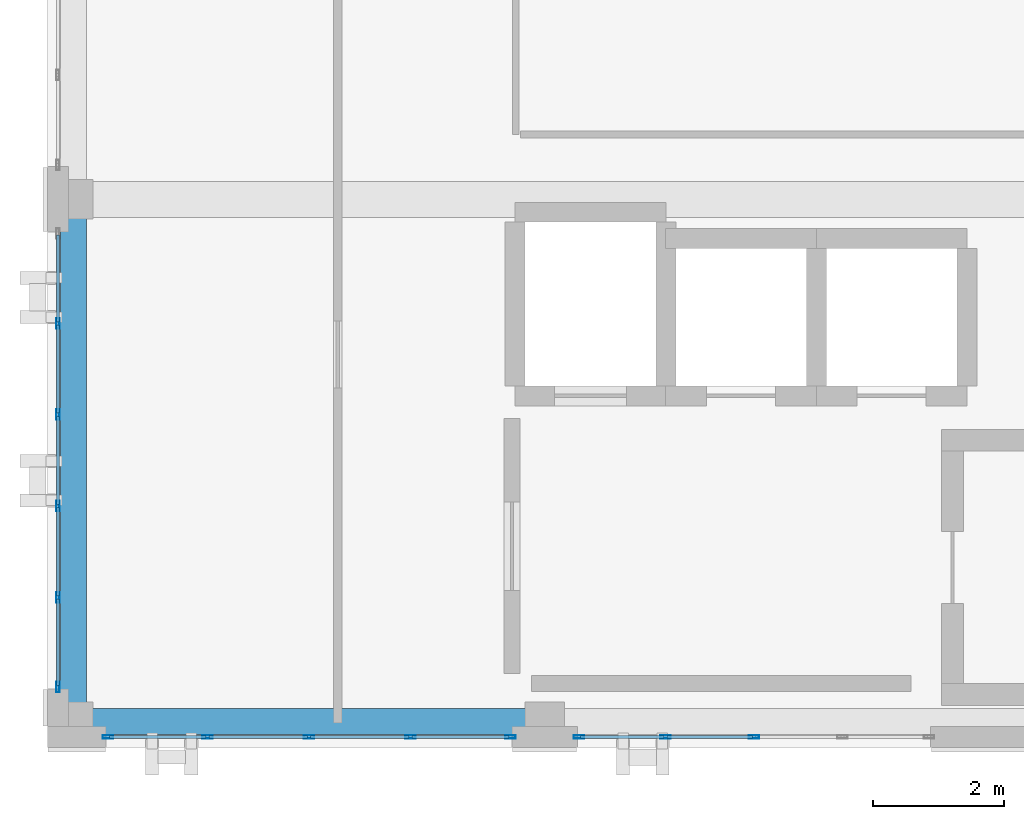
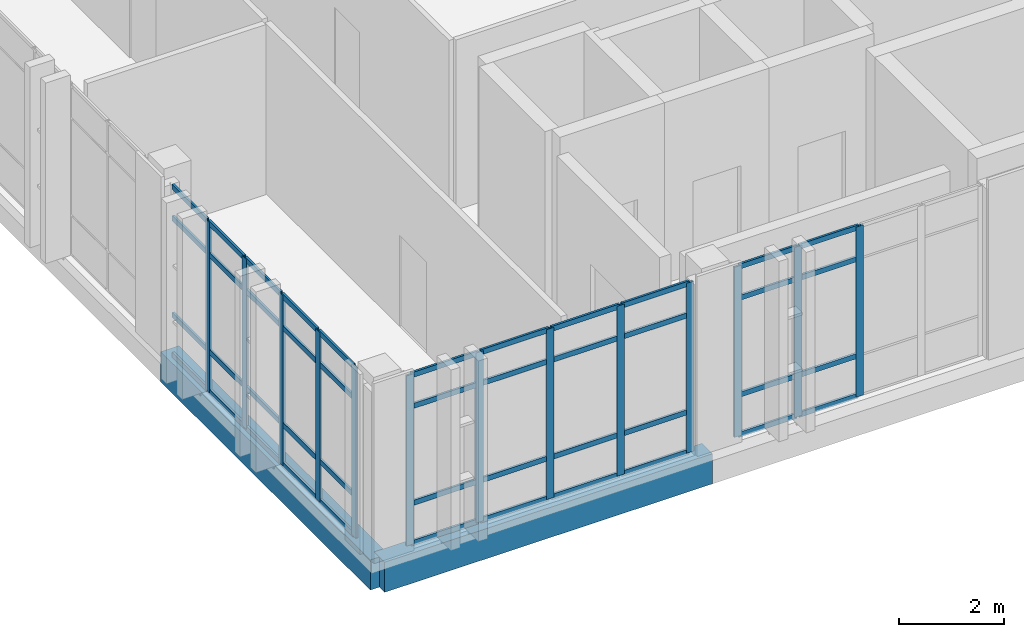
# One storey, part 2 of 19: 57 members, 2 beams, 3 elements without a shape of their own.
"""IFC4 building model written with IfcOpenShell, lengths in metres."""

from ifc_helpers import new_model, si_unit, direction, frame, origin, origin_2d, place, context, subcontext, project, spatial, rectangle, hollow_rectangle, extrude, material, layer, layer_set, material_profile, profile_set, type_object, element, aggregate, save


model = new_model("IFC4")

# Units and contexts
model_context = context("Model", 3, precision=1e-05, world=origin(), true_north=direction((0.0, 1.0)))
body_context = subcontext(model_context, "Body", "Model", "MODEL_VIEW")
ifc_project = project(units=[si_unit("LENGTHUNIT", "METRE"), si_unit("AREAUNIT", "SQUARE_METRE"), si_unit("VOLUMEUNIT", "CUBIC_METRE"), si_unit("PLANEANGLEUNIT", "RADIAN"), si_unit("MASSUNIT", "GRAM", prefix="KILO")], contexts=[model_context])

# Site, building, storey
site_placement = place(None, origin())
site = spatial("IfcSite", under=ifc_project, at=site_placement, CompositionType="ELEMENT")
building_placement = place(site_placement, origin())
building = spatial("IfcBuilding", under=site, at=building_placement, Name="Qalavern Law Courts", CompositionType="ELEMENT")
storey_placement = place(building_placement, frame((0.0, 0.0, 39.60009765625)))
storey = spatial("IfcBuildingStorey", under=building, at=storey_placement, Name="L09", CompositionType="ELEMENT", Elevation=39.60009765625)

# Curtain wall, members
ifc_material_1 = material(Name="Anodised aluminium and insulated glazing", Category="aluminium")
ifc_layer = layer(ifc_material_1, 0.159912109375)
ifc_layer_set = layer_set([ifc_layer], Name="Anodised aluminium and insulated glazing")
curtain_wall_type = type_object("IfcCurtainWallType", Name="ENV-CW-CHAMB", PredefinedType="USERDEFINED", material=ifc_layer_set)
curtain_wall_1_placement = place(storey_placement, origin())
curtain_wall_1 = element("IfcCurtainWall", 1, at=curtain_wall_1_placement, inside=storey, type_object=curtain_wall_type, Name="V4 unitised curtain wall L09 south 1", ObjectType="UNITISED CURTAIN WALL", PredefinedType="USERDEFINED")
ifc_material_2 = material(Name="Anodised aluminium", Category="aluminium")
ifc_material_profile_1 = material_profile(ifc_material_2, hollow_rectangle(XDim=0.048095703125, YDim=0.159912109375, WallThickness=0.00390625, at=origin_2d()), Name="ALU MULLION 48x160")
ifc_profile_set_1 = profile_set([ifc_material_profile_1], Name="Anodised aluminium")
member_type_1 = type_object("IfcMemberType", Name="ENV-CWM-48x160", PredefinedType="MULLION", material=ifc_profile_set_1)
member_1_placement = place(storey_placement, frame((85.1240234375, 41.1826171875, 0.0), z_axis=(0.0, 0.0, 1.0), x_axis=(0.0, 1.0, 0.0)))
member_1 = element("IfcMember", 2, at=member_1_placement, type_object=member_type_1, Name="CW-04 mullion 1", PredefinedType="MULLION", context=body_context, shape_type="SweptSolid", body=[
    extrude(hollow_rectangle(XDim=0.048095703125, YDim=0.159912109375, WallThickness=0.00390625, at=origin_2d()), origin(), (0.0, 0.0, 1.0), 3.949951171875),
])
member_2_placement = place(storey_placement, frame((86.64990234375, 41.1826171875, 0.0), z_axis=(0.0, 0.0, 1.0), x_axis=(0.0, 1.0, 0.0)))
member_2 = element("IfcMember", 3, at=member_2_placement, type_object=member_type_1, Name="CW-04 mullion 2", PredefinedType="MULLION", context=body_context, shape_type="SweptSolid", body=[
    extrude(hollow_rectangle(XDim=0.048095703125, YDim=0.159912109375, WallThickness=0.00390625, at=origin_2d()), origin(), (0.0, 0.0, 1.0), 3.949951171875),
])
member_3_placement = place(storey_placement, frame((88.199951171875, 41.1826171875, 0.0), z_axis=(0.0, 0.0, 1.0), x_axis=(0.0, 1.0, 0.0)))
member_3 = element("IfcMember", 4, at=member_3_placement, type_object=member_type_1, Name="CW-04 mullion 3", PredefinedType="MULLION", context=body_context, shape_type="SweptSolid", body=[
    extrude(hollow_rectangle(XDim=0.048095703125, YDim=0.159912109375, WallThickness=0.00390625, at=origin_2d()), origin(), (0.0, 0.0, 1.0), 3.949951171875),
])
member_4_placement = place(storey_placement, frame((89.75, 41.1826171875, 0.0), z_axis=(0.0, 0.0, 1.0), x_axis=(0.0, 1.0, 0.0)))
member_4 = element("IfcMember", 5, at=member_4_placement, type_object=member_type_1, Name="CW-04 mullion 4", PredefinedType="MULLION", context=body_context, shape_type="SweptSolid", body=[
    extrude(hollow_rectangle(XDim=0.048095703125, YDim=0.159912109375, WallThickness=0.00390625, at=origin_2d()), origin(), (0.0, 0.0, 1.0), 3.949951171875),
])
member_5_placement = place(storey_placement, frame((91.27587890625, 41.1826171875, 0.0), z_axis=(0.0, 0.0, 1.0), x_axis=(0.0, 1.0, 0.0)))
member_5 = element("IfcMember", 6, at=member_5_placement, type_object=member_type_1, Name="CW-04 mullion 5", PredefinedType="MULLION", context=body_context, shape_type="SweptSolid", body=[
    extrude(hollow_rectangle(XDim=0.048095703125, YDim=0.159912109375, WallThickness=0.00390625, at=origin_2d()), origin(), (0.0, 0.0, 1.0), 3.949951171875),
])

curtain_wall_2_placement = place(storey_placement, origin())
curtain_wall_2 = element("IfcCurtainWall", 7, at=curtain_wall_2_placement, inside=storey, type_object=curtain_wall_type, Name="V4 unitised curtain wall L09 south 2", ObjectType="UNITISED CURTAIN WALL", PredefinedType="USERDEFINED")
member_6_placement = place(storey_placement, frame((92.323974609375, 41.1826171875, 0.0), z_axis=(0.0, 0.0, 1.0), x_axis=(0.0, 1.0, 0.0)))
member_6 = element("IfcMember", 8, at=member_6_placement, type_object=member_type_1, Name="CW-04 mullion 1", PredefinedType="MULLION", context=body_context, shape_type="SweptSolid", body=[
    extrude(hollow_rectangle(XDim=0.048095703125, YDim=0.159912109375, WallThickness=0.00390625, at=origin_2d()), origin(), (0.0, 0.0, 1.0), 3.949951171875),
])
member_7_placement = place(storey_placement, frame((93.64990234375, 41.1826171875, 0.0), z_axis=(0.0, 0.0, 1.0), x_axis=(0.0, 1.0, 0.0)))
member_7 = element("IfcMember", 9, at=member_7_placement, type_object=member_type_1, Name="CW-04 mullion 2", PredefinedType="MULLION", context=body_context, shape_type="SweptSolid", body=[
    extrude(hollow_rectangle(XDim=0.048095703125, YDim=0.159912109375, WallThickness=0.00390625, at=origin_2d()), origin(), (0.0, 0.0, 1.0), 3.949951171875),
])
member_8_placement = place(storey_placement, frame((95.0, 41.1826171875, 0.0), z_axis=(0.0, 0.0, 1.0), x_axis=(0.0, 1.0, 0.0)))
member_8 = element("IfcMember", 10, at=member_8_placement, type_object=member_type_1, Name="CW-04 mullion 3", PredefinedType="MULLION", context=body_context, shape_type="SweptSolid", body=[
    extrude(hollow_rectangle(XDim=0.048095703125, YDim=0.159912109375, WallThickness=0.00390625, at=origin_2d()), origin(), (0.0, 0.0, 1.0), 3.949951171875),
])

curtain_wall_3_placement = place(storey_placement, origin())
curtain_wall_3 = element("IfcCurtainWall", 11, at=curtain_wall_3_placement, inside=storey, type_object=curtain_wall_type, Name="V4 unitised curtain wall L09 west 4", ObjectType="UNITISED CURTAIN WALL", PredefinedType="USERDEFINED")
member_9_placement = place(storey_placement, frame((84.362548828125, 47.50390625, 0.0), z_axis=(0.0, 0.0, 1.0), x_axis=(1.0, 0.0, 0.0)))
member_9 = element("IfcMember", 12, at=member_9_placement, type_object=member_type_1, Name="CW-04 mullion 2", PredefinedType="MULLION", context=body_context, shape_type="SweptSolid", body=[
    extrude(hollow_rectangle(XDim=0.048095703125, YDim=0.159912109375, WallThickness=0.00390625, at=origin_2d()), origin(), (0.0, 0.0, 1.0), 3.949951171875),
])
member_10_placement = place(storey_placement, frame((84.362548828125, 46.10791015625, 0.0), z_axis=(0.0, 0.0, 1.0), x_axis=(1.0, 0.0, 0.0)))
member_10 = element("IfcMember", 13, at=member_10_placement, type_object=member_type_1, Name="CW-04 mullion 3", PredefinedType="MULLION", context=body_context, shape_type="SweptSolid", body=[
    extrude(hollow_rectangle(XDim=0.048095703125, YDim=0.159912109375, WallThickness=0.00390625, at=origin_2d()), origin(), (0.0, 0.0, 1.0), 3.949951171875),
])
member_11_placement = place(storey_placement, frame((84.362548828125, 44.7119140625, 0.0), z_axis=(0.0, 0.0, 1.0), x_axis=(1.0, 0.0, 0.0)))
member_11 = element("IfcMember", 14, at=member_11_placement, type_object=member_type_1, Name="CW-04 mullion 4", PredefinedType="MULLION", context=body_context, shape_type="SweptSolid", body=[
    extrude(hollow_rectangle(XDim=0.048095703125, YDim=0.159912109375, WallThickness=0.00390625, at=origin_2d()), origin(), (0.0, 0.0, 1.0), 3.949951171875),
])
member_12_placement = place(storey_placement, frame((84.362548828125, 43.31591796875, 0.0), z_axis=(0.0, 0.0, 1.0), x_axis=(1.0, 0.0, 0.0)))
member_12 = element("IfcMember", 15, at=member_12_placement, type_object=member_type_1, Name="CW-04 mullion 5", PredefinedType="MULLION", context=body_context, shape_type="SweptSolid", body=[
    extrude(hollow_rectangle(XDim=0.048095703125, YDim=0.159912109375, WallThickness=0.00390625, at=origin_2d()), origin(), (0.0, 0.0, 1.0), 3.949951171875),
])
member_13_placement = place(storey_placement, frame((84.362548828125, 41.944091796875, 0.0), z_axis=(0.0, 0.0, 1.0), x_axis=(1.0, 0.0, 0.0)))
member_13 = element("IfcMember", 16, at=member_13_placement, type_object=member_type_1, Name="CW-04 mullion 6", PredefinedType="MULLION", context=body_context, shape_type="SweptSolid", body=[
    extrude(hollow_rectangle(XDim=0.048095703125, YDim=0.159912109375, WallThickness=0.00390625, at=origin_2d()), origin(), (0.0, 0.0, 1.0), 3.949951171875),
])

# Member
ifc_material_profile_2 = material_profile(ifc_material_2, hollow_rectangle(XDim=0.048095703125, YDim=0.1201171875, WallThickness=0.00390625, at=origin_2d()), Name="ALU TRANSOM 48x120")
ifc_profile_set_2 = profile_set([ifc_material_profile_2], Name="Anodised aluminium")
member_type_2 = type_object("IfcMemberType", Name="ENV-CWT-48x120", PredefinedType="USERDEFINED", material=ifc_profile_set_2)
member_14_placement = place(storey_placement, frame((85.14794921875, 41.1826171875, 0.02392578125), z_axis=(1.0, 0.0, 0.0), x_axis=(0.0, 1.0, 0.0)))
member_14 = element("IfcMember", 17, at=member_14_placement, type_object=member_type_2, Name="CW-04 transom 1.1", ObjectType="TRANSOM", PredefinedType="USERDEFINED", context=body_context, shape_type="SweptSolid", body=[
    extrude(hollow_rectangle(XDim=0.048095703125, YDim=0.1201171875, WallThickness=0.00390625, at=origin_2d()), origin(), (0.0, 0.0, 1.0), 1.47802734375),
])

member_15_placement = place(storey_placement, frame((85.14794921875, 41.1826171875, 0.949951171875), z_axis=(1.0, 0.0, 0.0), x_axis=(0.0, 1.0, 0.0)))
member_15 = element("IfcMember", 18, at=member_15_placement, type_object=member_type_2, Name="CW-04 transom 1.2", ObjectType="TRANSOM", PredefinedType="USERDEFINED", context=body_context, shape_type="SweptSolid", body=[
    extrude(hollow_rectangle(XDim=0.048095703125, YDim=0.1201171875, WallThickness=0.00390625, at=origin_2d()), origin(), (0.0, 0.0, 1.0), 1.47802734375),
])

member_16_placement = place(storey_placement, frame((85.14794921875, 41.1826171875, 3.199951171875), z_axis=(1.0, 0.0, 0.0), x_axis=(0.0, 1.0, 0.0)))
member_16 = element("IfcMember", 19, at=member_16_placement, type_object=member_type_2, Name="CW-04 transom 1.3", ObjectType="TRANSOM", PredefinedType="USERDEFINED", context=body_context, shape_type="SweptSolid", body=[
    extrude(hollow_rectangle(XDim=0.048095703125, YDim=0.1201171875, WallThickness=0.00390625, at=origin_2d()), origin(), (0.0, 0.0, 1.0), 1.47802734375),
])

member_17_placement = place(storey_placement, frame((85.14794921875, 41.1826171875, 3.92578125), z_axis=(1.0, 0.0, 0.0), x_axis=(0.0, 1.0, 0.0)))
member_17 = element("IfcMember", 20, at=member_17_placement, type_object=member_type_2, Name="CW-04 transom 1.4", ObjectType="TRANSOM", PredefinedType="USERDEFINED", context=body_context, shape_type="SweptSolid", body=[
    extrude(hollow_rectangle(XDim=0.048095703125, YDim=0.1201171875, WallThickness=0.00390625, at=origin_2d()), origin(), (0.0, 0.0, 1.0), 1.47802734375),
])

member_18_placement = place(storey_placement, frame((86.674072265625, 41.1826171875, 0.02392578125), z_axis=(1.0, 0.0, 0.0), x_axis=(0.0, 1.0, 0.0)))
member_18 = element("IfcMember", 21, at=member_18_placement, type_object=member_type_2, Name="CW-04 transom 2.1", ObjectType="TRANSOM", PredefinedType="USERDEFINED", context=body_context, shape_type="SweptSolid", body=[
    extrude(hollow_rectangle(XDim=0.048095703125, YDim=0.1201171875, WallThickness=0.00390625, at=origin_2d()), origin(), (0.0, 0.0, 1.0), 1.501953125),
])

member_19_placement = place(storey_placement, frame((86.674072265625, 41.1826171875, 0.949951171875), z_axis=(1.0, 0.0, 0.0), x_axis=(0.0, 1.0, 0.0)))
member_19 = element("IfcMember", 22, at=member_19_placement, type_object=member_type_2, Name="CW-04 transom 2.2", ObjectType="TRANSOM", PredefinedType="USERDEFINED", context=body_context, shape_type="SweptSolid", body=[
    extrude(hollow_rectangle(XDim=0.048095703125, YDim=0.1201171875, WallThickness=0.00390625, at=origin_2d()), origin(), (0.0, 0.0, 1.0), 1.501953125),
])

member_20_placement = place(storey_placement, frame((86.674072265625, 41.1826171875, 3.199951171875), z_axis=(1.0, 0.0, 0.0), x_axis=(0.0, 1.0, 0.0)))
member_20 = element("IfcMember", 23, at=member_20_placement, type_object=member_type_2, Name="CW-04 transom 2.3", ObjectType="TRANSOM", PredefinedType="USERDEFINED", context=body_context, shape_type="SweptSolid", body=[
    extrude(hollow_rectangle(XDim=0.048095703125, YDim=0.1201171875, WallThickness=0.00390625, at=origin_2d()), origin(), (0.0, 0.0, 1.0), 1.501953125),
])

member_21_placement = place(storey_placement, frame((86.674072265625, 41.1826171875, 3.92578125), z_axis=(1.0, 0.0, 0.0), x_axis=(0.0, 1.0, 0.0)))
member_21 = element("IfcMember", 24, at=member_21_placement, type_object=member_type_2, Name="CW-04 transom 2.4", ObjectType="TRANSOM", PredefinedType="USERDEFINED", context=body_context, shape_type="SweptSolid", body=[
    extrude(hollow_rectangle(XDim=0.048095703125, YDim=0.1201171875, WallThickness=0.00390625, at=origin_2d()), origin(), (0.0, 0.0, 1.0), 1.501953125),
])

member_22_placement = place(storey_placement, frame((88.22412109375, 41.1826171875, 0.02392578125), z_axis=(1.0, 0.0, 0.0), x_axis=(0.0, 1.0, 0.0)))
member_22 = element("IfcMember", 25, at=member_22_placement, type_object=member_type_2, Name="CW-04 transom 3.1", ObjectType="TRANSOM", PredefinedType="USERDEFINED", context=body_context, shape_type="SweptSolid", body=[
    extrude(hollow_rectangle(XDim=0.048095703125, YDim=0.1201171875, WallThickness=0.00390625, at=origin_2d()), origin(), (0.0, 0.0, 1.0), 1.501953125),
])

member_23_placement = place(storey_placement, frame((88.22412109375, 41.1826171875, 0.949951171875), z_axis=(1.0, 0.0, 0.0), x_axis=(0.0, 1.0, 0.0)))
member_23 = element("IfcMember", 26, at=member_23_placement, type_object=member_type_2, Name="CW-04 transom 3.2", ObjectType="TRANSOM", PredefinedType="USERDEFINED", context=body_context, shape_type="SweptSolid", body=[
    extrude(hollow_rectangle(XDim=0.048095703125, YDim=0.1201171875, WallThickness=0.00390625, at=origin_2d()), origin(), (0.0, 0.0, 1.0), 1.501953125),
])

member_24_placement = place(storey_placement, frame((88.22412109375, 41.1826171875, 3.199951171875), z_axis=(1.0, 0.0, 0.0), x_axis=(0.0, 1.0, 0.0)))
member_24 = element("IfcMember", 27, at=member_24_placement, type_object=member_type_2, Name="CW-04 transom 3.3", ObjectType="TRANSOM", PredefinedType="USERDEFINED", context=body_context, shape_type="SweptSolid", body=[
    extrude(hollow_rectangle(XDim=0.048095703125, YDim=0.1201171875, WallThickness=0.00390625, at=origin_2d()), origin(), (0.0, 0.0, 1.0), 1.501953125),
])

member_25_placement = place(storey_placement, frame((88.22412109375, 41.1826171875, 3.92578125), z_axis=(1.0, 0.0, 0.0), x_axis=(0.0, 1.0, 0.0)))
member_25 = element("IfcMember", 28, at=member_25_placement, type_object=member_type_2, Name="CW-04 transom 3.4", ObjectType="TRANSOM", PredefinedType="USERDEFINED", context=body_context, shape_type="SweptSolid", body=[
    extrude(hollow_rectangle(XDim=0.048095703125, YDim=0.1201171875, WallThickness=0.00390625, at=origin_2d()), origin(), (0.0, 0.0, 1.0), 1.501953125),
])

member_26_placement = place(storey_placement, frame((89.77392578125, 41.1826171875, 0.02392578125), z_axis=(1.0, 0.0, 0.0), x_axis=(0.0, 1.0, 0.0)))
member_26 = element("IfcMember", 29, at=member_26_placement, type_object=member_type_2, Name="CW-04 transom 4.1", ObjectType="TRANSOM", PredefinedType="USERDEFINED", context=body_context, shape_type="SweptSolid", body=[
    extrude(hollow_rectangle(XDim=0.048095703125, YDim=0.1201171875, WallThickness=0.00390625, at=origin_2d()), origin(), (0.0, 0.0, 1.0), 1.47802734375),
])

member_27_placement = place(storey_placement, frame((89.77392578125, 41.1826171875, 0.949951171875), z_axis=(1.0, 0.0, 0.0), x_axis=(0.0, 1.0, 0.0)))
member_27 = element("IfcMember", 30, at=member_27_placement, type_object=member_type_2, Name="CW-04 transom 4.2", ObjectType="TRANSOM", PredefinedType="USERDEFINED", context=body_context, shape_type="SweptSolid", body=[
    extrude(hollow_rectangle(XDim=0.048095703125, YDim=0.1201171875, WallThickness=0.00390625, at=origin_2d()), origin(), (0.0, 0.0, 1.0), 1.47802734375),
])

member_28_placement = place(storey_placement, frame((89.77392578125, 41.1826171875, 3.199951171875), z_axis=(1.0, 0.0, 0.0), x_axis=(0.0, 1.0, 0.0)))
member_28 = element("IfcMember", 31, at=member_28_placement, type_object=member_type_2, Name="CW-04 transom 4.3", ObjectType="TRANSOM", PredefinedType="USERDEFINED", context=body_context, shape_type="SweptSolid", body=[
    extrude(hollow_rectangle(XDim=0.048095703125, YDim=0.1201171875, WallThickness=0.00390625, at=origin_2d()), origin(), (0.0, 0.0, 1.0), 1.47802734375),
])

member_29_placement = place(storey_placement, frame((89.77392578125, 41.1826171875, 3.92578125), z_axis=(1.0, 0.0, 0.0), x_axis=(0.0, 1.0, 0.0)))
member_29 = element("IfcMember", 32, at=member_29_placement, type_object=member_type_2, Name="CW-04 transom 4.4", ObjectType="TRANSOM", PredefinedType="USERDEFINED", context=body_context, shape_type="SweptSolid", body=[
    extrude(hollow_rectangle(XDim=0.048095703125, YDim=0.1201171875, WallThickness=0.00390625, at=origin_2d()), origin(), (0.0, 0.0, 1.0), 1.47802734375),
])

aggregate(curtain_wall_1, [member_1, member_2, member_3, member_4, member_5, member_14, member_15, member_16, member_17, member_18, member_19, member_20, member_21, member_22, member_23, member_24, member_25, member_26, member_27, member_28, member_29])

member_30_placement = place(storey_placement, frame((92.347900390625, 41.1826171875, 0.02392578125), z_axis=(1.0, 0.0, 0.0), x_axis=(0.0, 1.0, 0.0)))
member_30 = element("IfcMember", 33, at=member_30_placement, type_object=member_type_2, Name="CW-04 transom 1.1", ObjectType="TRANSOM", PredefinedType="USERDEFINED", context=body_context, shape_type="SweptSolid", body=[
    extrude(hollow_rectangle(XDim=0.048095703125, YDim=0.1201171875, WallThickness=0.00390625, at=origin_2d()), origin(), (0.0, 0.0, 1.0), 1.278076171875),
])

member_31_placement = place(storey_placement, frame((92.347900390625, 41.1826171875, 0.949951171875), z_axis=(1.0, 0.0, 0.0), x_axis=(0.0, 1.0, 0.0)))
member_31 = element("IfcMember", 34, at=member_31_placement, type_object=member_type_2, Name="CW-04 transom 1.2", ObjectType="TRANSOM", PredefinedType="USERDEFINED", context=body_context, shape_type="SweptSolid", body=[
    extrude(hollow_rectangle(XDim=0.048095703125, YDim=0.1201171875, WallThickness=0.00390625, at=origin_2d()), origin(), (0.0, 0.0, 1.0), 1.278076171875),
])

member_32_placement = place(storey_placement, frame((92.347900390625, 41.1826171875, 3.199951171875), z_axis=(1.0, 0.0, 0.0), x_axis=(0.0, 1.0, 0.0)))
member_32 = element("IfcMember", 35, at=member_32_placement, type_object=member_type_2, Name="CW-04 transom 1.3", ObjectType="TRANSOM", PredefinedType="USERDEFINED", context=body_context, shape_type="SweptSolid", body=[
    extrude(hollow_rectangle(XDim=0.048095703125, YDim=0.1201171875, WallThickness=0.00390625, at=origin_2d()), origin(), (0.0, 0.0, 1.0), 1.278076171875),
])

member_33_placement = place(storey_placement, frame((92.347900390625, 41.1826171875, 3.92578125), z_axis=(1.0, 0.0, 0.0), x_axis=(0.0, 1.0, 0.0)))
member_33 = element("IfcMember", 36, at=member_33_placement, type_object=member_type_2, Name="CW-04 transom 1.4", ObjectType="TRANSOM", PredefinedType="USERDEFINED", context=body_context, shape_type="SweptSolid", body=[
    extrude(hollow_rectangle(XDim=0.048095703125, YDim=0.1201171875, WallThickness=0.00390625, at=origin_2d()), origin(), (0.0, 0.0, 1.0), 1.278076171875),
])

member_34_placement = place(storey_placement, frame((93.674072265625, 41.1826171875, 0.02392578125), z_axis=(1.0, 0.0, 0.0), x_axis=(0.0, 1.0, 0.0)))
member_34 = element("IfcMember", 37, at=member_34_placement, type_object=member_type_2, Name="CW-04 transom 2.1", ObjectType="TRANSOM", PredefinedType="USERDEFINED", context=body_context, shape_type="SweptSolid", body=[
    extrude(hollow_rectangle(XDim=0.048095703125, YDim=0.1201171875, WallThickness=0.00390625, at=origin_2d()), origin(), (0.0, 0.0, 1.0), 1.302001953125),
])

member_35_placement = place(storey_placement, frame((93.674072265625, 41.1826171875, 0.949951171875), z_axis=(1.0, 0.0, 0.0), x_axis=(0.0, 1.0, 0.0)))
member_35 = element("IfcMember", 38, at=member_35_placement, type_object=member_type_2, Name="CW-04 transom 2.2", ObjectType="TRANSOM", PredefinedType="USERDEFINED", context=body_context, shape_type="SweptSolid", body=[
    extrude(hollow_rectangle(XDim=0.048095703125, YDim=0.1201171875, WallThickness=0.00390625, at=origin_2d()), origin(), (0.0, 0.0, 1.0), 1.302001953125),
])

member_36_placement = place(storey_placement, frame((93.674072265625, 41.1826171875, 3.199951171875), z_axis=(1.0, 0.0, 0.0), x_axis=(0.0, 1.0, 0.0)))
member_36 = element("IfcMember", 39, at=member_36_placement, type_object=member_type_2, Name="CW-04 transom 2.3", ObjectType="TRANSOM", PredefinedType="USERDEFINED", context=body_context, shape_type="SweptSolid", body=[
    extrude(hollow_rectangle(XDim=0.048095703125, YDim=0.1201171875, WallThickness=0.00390625, at=origin_2d()), origin(), (0.0, 0.0, 1.0), 1.302001953125),
])

member_37_placement = place(storey_placement, frame((93.674072265625, 41.1826171875, 3.92578125), z_axis=(1.0, 0.0, 0.0), x_axis=(0.0, 1.0, 0.0)))
member_37 = element("IfcMember", 40, at=member_37_placement, type_object=member_type_2, Name="CW-04 transom 2.4", ObjectType="TRANSOM", PredefinedType="USERDEFINED", context=body_context, shape_type="SweptSolid", body=[
    extrude(hollow_rectangle(XDim=0.048095703125, YDim=0.1201171875, WallThickness=0.00390625, at=origin_2d()), origin(), (0.0, 0.0, 1.0), 1.302001953125),
])

aggregate(curtain_wall_2, [member_6, member_7, member_8, member_30, member_31, member_32, member_33, member_34, member_35, member_36, member_37])

member_38_placement = place(storey_placement, frame((84.362548828125, 48.85205078125, 0.02392578125), z_axis=(0.0, -1.0, 0.0), x_axis=(1.0, 0.0, 0.0)))
member_38 = element("IfcMember", 41, at=member_38_placement, type_object=member_type_2, Name="CW-04 transom 1.1", ObjectType="TRANSOM", PredefinedType="USERDEFINED", context=body_context, shape_type="SweptSolid", body=[
    extrude(hollow_rectangle(XDim=0.048095703125, YDim=0.1201171875, WallThickness=0.00390625, at=origin_2d()), origin(), (0.0, 0.0, 1.0), 1.323974609375),
])

member_39_placement = place(storey_placement, frame((84.362548828125, 48.85205078125, 0.949951171875), z_axis=(0.0, -1.0, 0.0), x_axis=(1.0, 0.0, 0.0)))
member_39 = element("IfcMember", 42, at=member_39_placement, type_object=member_type_2, Name="CW-04 transom 1.2", ObjectType="TRANSOM", PredefinedType="USERDEFINED", context=body_context, shape_type="SweptSolid", body=[
    extrude(hollow_rectangle(XDim=0.048095703125, YDim=0.1201171875, WallThickness=0.00390625, at=origin_2d()), origin(), (0.0, 0.0, 1.0), 1.323974609375),
])

member_40_placement = place(storey_placement, frame((84.362548828125, 48.85205078125, 3.199951171875), z_axis=(0.0, -1.0, 0.0), x_axis=(1.0, 0.0, 0.0)))
member_40 = element("IfcMember", 43, at=member_40_placement, type_object=member_type_2, Name="CW-04 transom 1.3", ObjectType="TRANSOM", PredefinedType="USERDEFINED", context=body_context, shape_type="SweptSolid", body=[
    extrude(hollow_rectangle(XDim=0.048095703125, YDim=0.1201171875, WallThickness=0.00390625, at=origin_2d()), origin(), (0.0, 0.0, 1.0), 1.323974609375),
])

member_41_placement = place(storey_placement, frame((84.362548828125, 48.85205078125, 3.92578125), z_axis=(0.0, -1.0, 0.0), x_axis=(1.0, 0.0, 0.0)))
member_41 = element("IfcMember", 44, at=member_41_placement, type_object=member_type_2, Name="CW-04 transom 1.4", ObjectType="TRANSOM", PredefinedType="USERDEFINED", context=body_context, shape_type="SweptSolid", body=[
    extrude(hollow_rectangle(XDim=0.048095703125, YDim=0.1201171875, WallThickness=0.00390625, at=origin_2d()), origin(), (0.0, 0.0, 1.0), 1.323974609375),
])

member_42_placement = place(storey_placement, frame((84.362548828125, 47.47998046875, 0.02392578125), z_axis=(0.0, -1.0, 0.0), x_axis=(1.0, 0.0, 0.0)))
member_42 = element("IfcMember", 45, at=member_42_placement, type_object=member_type_2, Name="CW-04 transom 2.1", ObjectType="TRANSOM", PredefinedType="USERDEFINED", context=body_context, shape_type="SweptSolid", body=[
    extrude(hollow_rectangle(XDim=0.048095703125, YDim=0.1201171875, WallThickness=0.00390625, at=origin_2d()), origin(), (0.0, 0.0, 1.0), 1.347900390625),
])

member_43_placement = place(storey_placement, frame((84.362548828125, 47.47998046875, 0.949951171875), z_axis=(0.0, -1.0, 0.0), x_axis=(1.0, 0.0, 0.0)))
member_43 = element("IfcMember", 46, at=member_43_placement, type_object=member_type_2, Name="CW-04 transom 2.2", ObjectType="TRANSOM", PredefinedType="USERDEFINED", context=body_context, shape_type="SweptSolid", body=[
    extrude(hollow_rectangle(XDim=0.048095703125, YDim=0.1201171875, WallThickness=0.00390625, at=origin_2d()), origin(), (0.0, 0.0, 1.0), 1.347900390625),
])

member_44_placement = place(storey_placement, frame((84.362548828125, 47.47998046875, 3.199951171875), z_axis=(0.0, -1.0, 0.0), x_axis=(1.0, 0.0, 0.0)))
member_44 = element("IfcMember", 47, at=member_44_placement, type_object=member_type_2, Name="CW-04 transom 2.3", ObjectType="TRANSOM", PredefinedType="USERDEFINED", context=body_context, shape_type="SweptSolid", body=[
    extrude(hollow_rectangle(XDim=0.048095703125, YDim=0.1201171875, WallThickness=0.00390625, at=origin_2d()), origin(), (0.0, 0.0, 1.0), 1.347900390625),
])

member_45_placement = place(storey_placement, frame((84.362548828125, 47.47998046875, 3.92578125), z_axis=(0.0, -1.0, 0.0), x_axis=(1.0, 0.0, 0.0)))
member_45 = element("IfcMember", 48, at=member_45_placement, type_object=member_type_2, Name="CW-04 transom 2.4", ObjectType="TRANSOM", PredefinedType="USERDEFINED", context=body_context, shape_type="SweptSolid", body=[
    extrude(hollow_rectangle(XDim=0.048095703125, YDim=0.1201171875, WallThickness=0.00390625, at=origin_2d()), origin(), (0.0, 0.0, 1.0), 1.347900390625),
])

member_46_placement = place(storey_placement, frame((84.362548828125, 46.083984375, 0.02392578125), z_axis=(0.0, -1.0, 0.0), x_axis=(1.0, 0.0, 0.0)))
member_46 = element("IfcMember", 49, at=member_46_placement, type_object=member_type_2, Name="CW-04 transom 3.1", ObjectType="TRANSOM", PredefinedType="USERDEFINED", context=body_context, shape_type="SweptSolid", body=[
    extrude(hollow_rectangle(XDim=0.048095703125, YDim=0.1201171875, WallThickness=0.00390625, at=origin_2d()), origin(), (0.0, 0.0, 1.0), 1.347900390625),
])

member_47_placement = place(storey_placement, frame((84.362548828125, 46.083984375, 0.949951171875), z_axis=(0.0, -1.0, 0.0), x_axis=(1.0, 0.0, 0.0)))
member_47 = element("IfcMember", 50, at=member_47_placement, type_object=member_type_2, Name="CW-04 transom 3.2", ObjectType="TRANSOM", PredefinedType="USERDEFINED", context=body_context, shape_type="SweptSolid", body=[
    extrude(hollow_rectangle(XDim=0.048095703125, YDim=0.1201171875, WallThickness=0.00390625, at=origin_2d()), origin(), (0.0, 0.0, 1.0), 1.347900390625),
])

member_48_placement = place(storey_placement, frame((84.362548828125, 46.083984375, 3.199951171875), z_axis=(0.0, -1.0, 0.0), x_axis=(1.0, 0.0, 0.0)))
member_48 = element("IfcMember", 51, at=member_48_placement, type_object=member_type_2, Name="CW-04 transom 3.3", ObjectType="TRANSOM", PredefinedType="USERDEFINED", context=body_context, shape_type="SweptSolid", body=[
    extrude(hollow_rectangle(XDim=0.048095703125, YDim=0.1201171875, WallThickness=0.00390625, at=origin_2d()), origin(), (0.0, 0.0, 1.0), 1.347900390625),
])

member_49_placement = place(storey_placement, frame((84.362548828125, 46.083984375, 3.92578125), z_axis=(0.0, -1.0, 0.0), x_axis=(1.0, 0.0, 0.0)))
member_49 = element("IfcMember", 52, at=member_49_placement, type_object=member_type_2, Name="CW-04 transom 3.4", ObjectType="TRANSOM", PredefinedType="USERDEFINED", context=body_context, shape_type="SweptSolid", body=[
    extrude(hollow_rectangle(XDim=0.048095703125, YDim=0.1201171875, WallThickness=0.00390625, at=origin_2d()), origin(), (0.0, 0.0, 1.0), 1.347900390625),
])

member_50_placement = place(storey_placement, frame((84.362548828125, 44.68798828125, 0.02392578125), z_axis=(0.0, -1.0, 0.0), x_axis=(1.0, 0.0, 0.0)))
member_50 = element("IfcMember", 53, at=member_50_placement, type_object=member_type_2, Name="CW-04 transom 4.1", ObjectType="TRANSOM", PredefinedType="USERDEFINED", context=body_context, shape_type="SweptSolid", body=[
    extrude(hollow_rectangle(XDim=0.048095703125, YDim=0.1201171875, WallThickness=0.00390625, at=origin_2d()), origin(), (0.0, 0.0, 1.0), 1.347900390625),
])

member_51_placement = place(storey_placement, frame((84.362548828125, 44.68798828125, 0.949951171875), z_axis=(0.0, -1.0, 0.0), x_axis=(1.0, 0.0, 0.0)))
member_51 = element("IfcMember", 54, at=member_51_placement, type_object=member_type_2, Name="CW-04 transom 4.2", ObjectType="TRANSOM", PredefinedType="USERDEFINED", context=body_context, shape_type="SweptSolid", body=[
    extrude(hollow_rectangle(XDim=0.048095703125, YDim=0.1201171875, WallThickness=0.00390625, at=origin_2d()), origin(), (0.0, 0.0, 1.0), 1.347900390625),
])

member_52_placement = place(storey_placement, frame((84.362548828125, 44.68798828125, 3.199951171875), z_axis=(0.0, -1.0, 0.0), x_axis=(1.0, 0.0, 0.0)))
member_52 = element("IfcMember", 55, at=member_52_placement, type_object=member_type_2, Name="CW-04 transom 4.3", ObjectType="TRANSOM", PredefinedType="USERDEFINED", context=body_context, shape_type="SweptSolid", body=[
    extrude(hollow_rectangle(XDim=0.048095703125, YDim=0.1201171875, WallThickness=0.00390625, at=origin_2d()), origin(), (0.0, 0.0, 1.0), 1.347900390625),
])

member_53_placement = place(storey_placement, frame((84.362548828125, 44.68798828125, 3.92578125), z_axis=(0.0, -1.0, 0.0), x_axis=(1.0, 0.0, 0.0)))
member_53 = element("IfcMember", 56, at=member_53_placement, type_object=member_type_2, Name="CW-04 transom 4.4", ObjectType="TRANSOM", PredefinedType="USERDEFINED", context=body_context, shape_type="SweptSolid", body=[
    extrude(hollow_rectangle(XDim=0.048095703125, YDim=0.1201171875, WallThickness=0.00390625, at=origin_2d()), origin(), (0.0, 0.0, 1.0), 1.347900390625),
])

member_54_placement = place(storey_placement, frame((84.362548828125, 43.2919921875, 0.02392578125), z_axis=(0.0, -1.0, 0.0), x_axis=(1.0, 0.0, 0.0)))
member_54 = element("IfcMember", 57, at=member_54_placement, type_object=member_type_2, Name="CW-04 transom 5.1", ObjectType="TRANSOM", PredefinedType="USERDEFINED", context=body_context, shape_type="SweptSolid", body=[
    extrude(hollow_rectangle(XDim=0.048095703125, YDim=0.1201171875, WallThickness=0.00390625, at=origin_2d()), origin(), (0.0, 0.0, 1.0), 1.323974609375),
])

member_55_placement = place(storey_placement, frame((84.362548828125, 43.2919921875, 0.949951171875), z_axis=(0.0, -1.0, 0.0), x_axis=(1.0, 0.0, 0.0)))
member_55 = element("IfcMember", 58, at=member_55_placement, type_object=member_type_2, Name="CW-04 transom 5.2", ObjectType="TRANSOM", PredefinedType="USERDEFINED", context=body_context, shape_type="SweptSolid", body=[
    extrude(hollow_rectangle(XDim=0.048095703125, YDim=0.1201171875, WallThickness=0.00390625, at=origin_2d()), origin(), (0.0, 0.0, 1.0), 1.323974609375),
])

member_56_placement = place(storey_placement, frame((84.362548828125, 43.2919921875, 3.199951171875), z_axis=(0.0, -1.0, 0.0), x_axis=(1.0, 0.0, 0.0)))
member_56 = element("IfcMember", 59, at=member_56_placement, type_object=member_type_2, Name="CW-04 transom 5.3", ObjectType="TRANSOM", PredefinedType="USERDEFINED", context=body_context, shape_type="SweptSolid", body=[
    extrude(hollow_rectangle(XDim=0.048095703125, YDim=0.1201171875, WallThickness=0.00390625, at=origin_2d()), origin(), (0.0, 0.0, 1.0), 1.323974609375),
])

member_57_placement = place(storey_placement, frame((84.362548828125, 43.2919921875, 3.92578125), z_axis=(0.0, -1.0, 0.0), x_axis=(1.0, 0.0, 0.0)))
member_57 = element("IfcMember", 60, at=member_57_placement, type_object=member_type_2, Name="CW-04 transom 5.4", ObjectType="TRANSOM", PredefinedType="USERDEFINED", context=body_context, shape_type="SweptSolid", body=[
    extrude(hollow_rectangle(XDim=0.048095703125, YDim=0.1201171875, WallThickness=0.00390625, at=origin_2d()), origin(), (0.0, 0.0, 1.0), 1.323974609375),
])

aggregate(curtain_wall_3, [member_9, member_10, member_11, member_12, member_13, member_38, member_39, member_40, member_41, member_42, member_43, member_44, member_45, member_46, member_47, member_48, member_49, member_50, member_51, member_52, member_53, member_54, member_55, member_56, member_57])

# Beams
ifc_material_3 = material(Name="Concrete C40/50", Category="concrete")
ifc_material_profile_3 = material_profile(ifc_material_3, rectangle(XDim=0.39990234375, YDim=0.699951171875, at=origin_2d()), Name="RC 400x700")
ifc_profile_set_3 = profile_set([ifc_material_profile_3], Name="Concrete C40/50")
beam_type = type_object("IfcBeamType", Name="STR-SP-RC400x700", PredefinedType="SPANDREL", material=ifc_profile_set_3)
beam_1_placement = place(storey_placement, frame((84.60009765625, 41.419921875, -0.60498046875), z_axis=(1.0, 0.0, 0.0), x_axis=(0.0, 1.0, 0.0)))
element("IfcBeam", 61, at=beam_1_placement, inside=storey, type_object=beam_type, Name="V4 X-beam 1-1 L09", PredefinedType="SPANDREL", context=body_context, shape_type="SweptSolid", body=[
    extrude(rectangle(XDim=0.39990234375, YDim=0.699951171875, at=origin_2d()), origin(), (0.0, 0.0, 1.0), 7.199951171875),
])
beam_2_placement = place(storey_placement, frame((84.60009765625, 41.419921875, -0.60498046875), z_axis=(0.0, 1.0, 0.0), x_axis=(-1.0, 0.0, 0.0)))
element("IfcBeam", 62, at=beam_2_placement, inside=storey, type_object=beam_type, Name="V4 Y-beam 1-1 L09", PredefinedType="SPANDREL", context=body_context, shape_type="SweptSolid", body=[
    extrude(rectangle(XDim=0.39990234375, YDim=0.699951171875, at=origin_2d()), origin(), (0.0, 0.0, 1.0), 7.97998046875),
])

save(model, "model.ifc")
